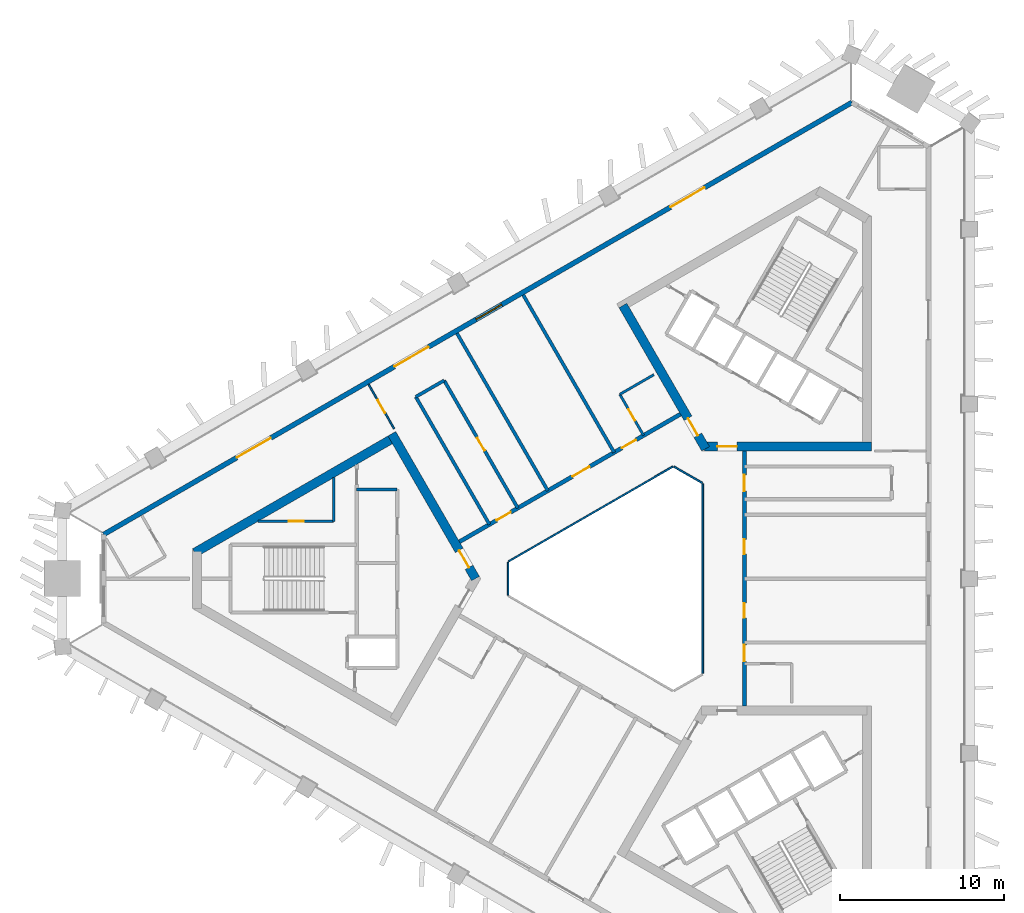
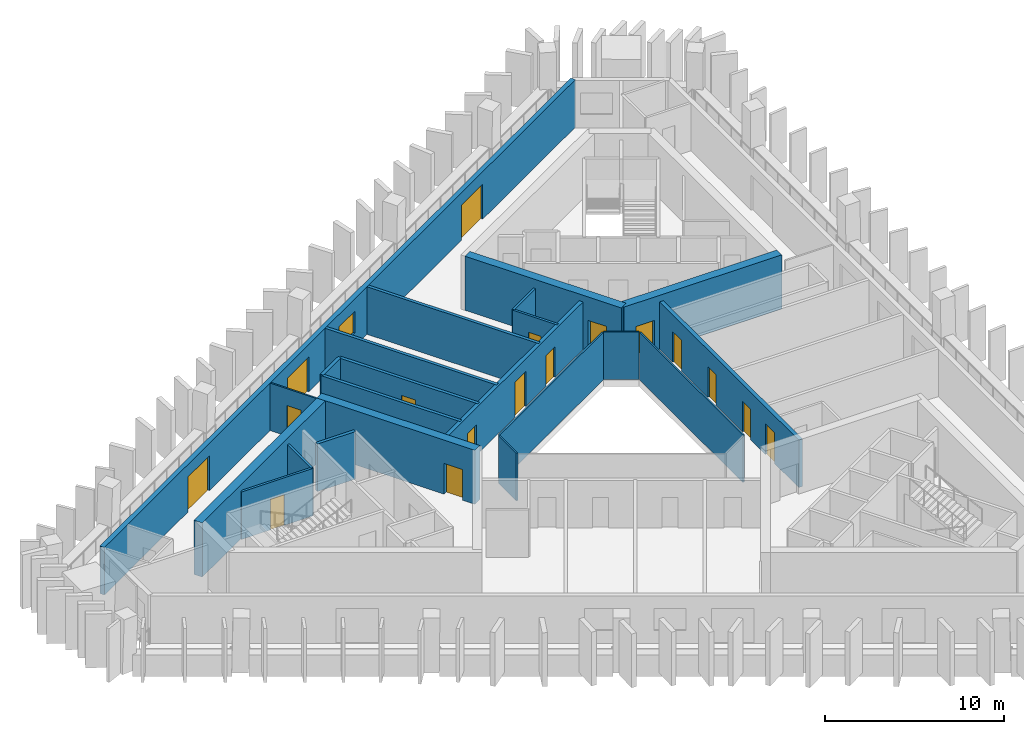
# One storey, part 4 of 9: 22 walls, 17 doors, 1 window, 18 openings.
"""IFC4 building model written with IfcOpenShell, lengths in metres."""

from ifc_helpers import new_model, si_unit, direction, frame, frame_2d, origin, place, context, subcontext, project, spatial, rectangle, extrude, material, layer, layer_set, type_object, element, fill, save


model = new_model("IFC4")

# Units and contexts
model_context = context("Model", 3, precision=1e-05, world=origin(), true_north=direction((0.0, 1.0)))
body_context = subcontext(model_context, "Body", "Model", "MODEL_VIEW")
ifc_project = project(units=[si_unit("LENGTHUNIT", "METRE"), si_unit("AREAUNIT", "SQUARE_METRE"), si_unit("VOLUMEUNIT", "CUBIC_METRE"), si_unit("PLANEANGLEUNIT", "RADIAN"), si_unit("MASSUNIT", "GRAM", prefix="KILO")], contexts=[model_context])

# Site, building, storey
site_placement = place(None, origin())
site = spatial("IfcSite", under=ifc_project, at=site_placement, CompositionType="ELEMENT")
building_placement = place(site_placement, origin())
building = spatial("IfcBuilding", under=site, at=building_placement, Name="Jabali Bay Hotel Tower and Convention Centre", CompositionType="ELEMENT")
storey_placement = place(building_placement, frame((0.0, 0.0, 185.89990234375)))
storey = spatial("IfcBuildingStorey", under=building, at=storey_placement, Name="L45", CompositionType="ELEMENT", Elevation=185.89990234375)

# Walls
ifc_material_1 = material(Name="Fire-resistant glazing", Category="glass")
ifc_layer_1 = layer(ifc_material_1, 0.10009765625)
ifc_layer_set_1 = layer_set([ifc_layer_1], Name="Fire-resistant glazing")
wall_type_1 = type_object("IfcWallType", Name="Atrium glazed screen 100", PredefinedType="PARTITIONING", material=ifc_layer_set_1)
wall_1_placement = place(storey_placement, frame((79.56005859375, 74.205810546875, 0.0), z_axis=(0.0, 0.0, 1.0), x_axis=(0.0, 1.0, 0.0)))
element("IfcWall", 1, at=wall_1_placement, inside=storey, type_object=wall_type_1, Name="Atrium screen 1 L45", PredefinedType="PARTITIONING", context=body_context, shape_type="SweptSolid", body=[
    extrude(rectangle(XDim=11.58837890625, YDim=0.10009765625, at=frame_2d((5.794189453125, 0.0))), origin(), (0.0, 0.0, 1.0), 3.25),
])
wall_2_placement = place(storey_placement, frame((79.530029296875, 85.84619140625, 0.0), z_axis=(0.0, 0.0, 1.0), x_axis=(-0.866041268327, 0.499972520799, 0.0)))
element("IfcWall", 2, at=wall_2_placement, inside=storey, type_object=wall_type_1, Name="Atrium screen 2 L45", PredefinedType="PARTITIONING", context=body_context, shape_type="SweptSolid", body=[
    extrude(rectangle(XDim=2.0, YDim=0.10009765625, at=frame_2d((1.0, 0.0))), origin(), (0.0, 0.0, 1.0), 3.25),
])
wall_3_placement = place(storey_placement, frame((77.738037109375, 86.84619140625, 0.0), z_axis=(0.0, 0.0, 1.0), x_axis=(-0.866026658274, -0.499997827154, 0.0)))
element("IfcWall", 3, at=wall_3_placement, inside=storey, type_object=wall_type_1, Name="Atrium screen 3 L45", PredefinedType="PARTITIONING", context=body_context, shape_type="SweptSolid", body=[
    extrude(rectangle(XDim=11.58837890625, YDim=0.10009765625, at=frame_2d((5.794189453125, 0.0))), origin(), (0.0, 0.0, 1.0), 3.25),
])
wall_4_placement = place(storey_placement, frame((67.672119140625, 81.0, 0.0), z_axis=(0.0, 0.0, 1.0), x_axis=(0.0, -1.0, 0.0)))
element("IfcWall", 4, at=wall_4_placement, inside=storey, type_object=wall_type_1, Name="Atrium screen 4 L45", PredefinedType="PARTITIONING", context=body_context, shape_type="SweptSolid", body=[
    extrude(rectangle(XDim=2.0, YDim=0.10009765625, at=frame_2d((1.0, 0.0))), origin(), (0.0, 0.0, 1.0), 3.25),
])

# Wall, opening, door
ifc_material_2 = material(Name="Fire-rated board partition")
ifc_layer_2 = layer(ifc_material_2, 0.14990234375)
ifc_layer_set_2 = layer_set([ifc_layer_2], Name="Fire-rated board partition")
wall_type_2 = type_object("IfcWallType", Name="Core room partition 150", PredefinedType="PARTITIONING", material=ifc_layer_set_2)
wall_5_placement = place(storey_placement, frame((57.02001953125, 83.5, 0.0), z_axis=(0.0, 0.0, 1.0), x_axis=(-1.0, 0.0, 0.0)))
wall_5 = element("IfcWall", 5, at=wall_5_placement, inside=storey, type_object=wall_type_2, Name="Core wall 0.1 L45", PredefinedType="PARTITIONING", context=body_context, shape_type="SweptSolid", body=[
    extrude(rectangle(XDim=4.617919921875, YDim=0.14990234375, at=frame_2d((2.30908203125, 0.0))), origin(), (0.0, 0.0, 1.0), 3.25),
])
opening_1_placement = place(wall_5_placement, frame((1.83154296875, 0.0, 0.0)))
opening_1 = element("IfcOpeningElement", 6, at=opening_1_placement, cuts=wall_5, Name="Opening D975", PredefinedType="OPENING", context=body_context, shape_type="SweptSolid", body=[
    extrude(rectangle(XDim=0.89990234375, YDim=2.10009765625, at=frame_2d((0.449951171875, 1.050048828125))), frame((0.0, 0.08544921875, 0.0), z_axis=(0.0, -1.0, 0.0), x_axis=(1.0, 0.0, 0.0)), (0.0, 0.0, 1.0), 0.1708984375),
])
ifc_material_3 = material(Name="Fire-rated steel door", Category="steel")
door_type_1 = type_object("IfcDoorType", Name="Core room door 900 x 2100", OperationType="NOTDEFINED", PredefinedType="NOTDEFINED", material=ifc_material_3)
door_1_placement = place(opening_1_placement, origin())
door_1 = element("IfcDoor", 7, at=door_1_placement, inside=storey, type_object=door_type_1, Name="Core room door D975", OperationType="SINGLE_SWING_LEFT", OverallHeight=2.10009765625, OverallWidth=0.89990234375, PredefinedType="NOTDEFINED", context=body_context, shape_type="SweptSolid", body=[
    extrude(rectangle(XDim=0.89990234375, YDim=2.10009765625, at=frame_2d((0.449951171875, 1.050048828125))), frame((0.0, 0.02490234375, 0.0), z_axis=(0.0, -1.0, 0.0), x_axis=(1.0, 0.0, 0.0)), (0.0, 0.0, 1.0), 0.050048828125),
])
fill(opening_1, door_1)

# Walls
wall_6_placement = place(storey_placement, frame((57.02001953125, 86.166015625, 0.0), z_axis=(0.0, 0.0, 1.0), x_axis=(0.0, -1.0, 0.0)))
element("IfcWall", 8, at=wall_6_placement, inside=storey, type_object=wall_type_2, Name="Core wall 0.12 L45", PredefinedType="PARTITIONING", context=body_context, shape_type="SweptSolid", body=[
    extrude(rectangle(XDim=2.666015625, YDim=0.14990234375, at=frame_2d((1.3330078125, 0.0))), origin(), (0.0, 0.0, 1.0), 3.25),
])
ifc_material_4 = material(Name="Concrete C40", Category="concrete")
ifc_layer_3 = layer(ifc_material_4, 0.199951171875)
ifc_layer_set_3 = layer_set([ifc_layer_3], Name="Concrete C40")
wall_type_3 = type_object("IfcWallType", Name="Core stair wall 200", PredefinedType="SOLIDWALL", material=ifc_layer_set_3)
wall_7_placement = place(storey_placement, frame((60.89990234375, 85.449951171875, 0.0), z_axis=(0.0, 0.0, 1.0), x_axis=(-1.0, 0.0, 0.0)))
element("IfcWall", 9, at=wall_7_placement, inside=storey, type_object=wall_type_3, Name="Core wall 0.0 L45", PredefinedType="SOLIDWALL", context=body_context, shape_type="SweptSolid", body=[
    extrude(rectangle(XDim=2.47998046875, YDim=0.199951171875, at=frame_2d((1.239990234375, 0.0))), origin(), (0.0, 0.0, 1.0), 3.25),
])

# Wall, opening, door
ifc_material_5 = material(Name="Concrete C60", Category="concrete")
ifc_layer_4 = layer(ifc_material_5, 0.550048828125)
ifc_layer_set_4 = layer_set([ifc_layer_4], Name="Concrete C60")
wall_type_4 = type_object("IfcWallType", Name="Core wall 550", PredefinedType="SHEAR", material=ifc_layer_set_4)
wall_8_placement = place(storey_placement, frame((65.682373046875, 80.0, 0.0), z_axis=(0.0, 0.0, 1.0), x_axis=(-0.500000202252, 0.866025287014, 0.0)))
wall_8 = element("IfcWall", 10, at=wall_8_placement, inside=storey, type_object=wall_type_4, Name="Core wall 1.1 L45", PredefinedType="SHEAR", context=body_context, shape_type="SweptSolid", body=[
    extrude(rectangle(XDim=10.22119140625, YDim=0.550048828125, at=frame_2d((5.110595703125, 0.0))), origin(), (0.0, 0.0, 1.0), 3.7001953125),
])
opening_2_placement = place(wall_8_placement, frame((0.791259765625, 0.0, 0.0)))
opening_2 = element("IfcOpeningElement", 11, at=opening_2_placement, cuts=wall_8, Name="Opening D968", PredefinedType="OPENING", context=body_context, shape_type="SweptSolid", body=[
    extrude(rectangle(XDim=1.199951171875, YDim=2.10009765625, at=frame_2d((0.60009765625, 1.050048828125))), frame((0.0, 0.28564453125, 0.0), z_axis=(0.0, -1.0, 0.0), x_axis=(1.0, 0.0, 0.0)), (0.0, 0.0, 1.0), 0.571044921875),
])
door_type_2 = type_object("IfcDoorType", Name="Corridor end fire door 1200 x 2100", OperationType="NOTDEFINED", PredefinedType="NOTDEFINED", material=ifc_material_3)
door_2_placement = place(opening_2_placement, origin())
door_2 = element("IfcDoor", 12, at=door_2_placement, inside=storey, type_object=door_type_2, Name="Corridor end fire door D968", OperationType="SINGLE_SWING_RIGHT", OverallHeight=2.10009765625, OverallWidth=1.199951171875, PredefinedType="NOTDEFINED", context=body_context, shape_type="SweptSolid", body=[
    extrude(rectangle(XDim=1.199951171875, YDim=2.10009765625, at=frame_2d((0.60009765625, 1.050048828125))), frame((0.0, 0.02490234375, 0.0), z_axis=(0.0, -1.0, 0.0), x_axis=(1.0, 0.0, 0.0)), (0.0, 0.0, 1.0), 0.050048828125),
])
fill(opening_2, door_2)

# Wall
wall_9_placement = place(storey_placement, frame((60.709228515625, 88.61376953125, 0.0), z_axis=(0.0, 0.0, 1.0), x_axis=(-0.866020164116, -0.500009075263, 0.0)))
element("IfcWall", 13, at=wall_9_placement, inside=storey, type_object=wall_type_4, Name="Core wall 1.2 L45", PredefinedType="SHEAR", context=body_context, shape_type="SweptSolid", body=[
    extrude(rectangle(XDim=14.058349609375, YDim=0.550048828125, at=frame_2d((7.029296875, 0.0))), origin(), (0.0, 0.0, 1.0), 3.7001953125),
])

# Wall, opening, door
wall_10_placement = place(storey_placement, frame((79.65869140625, 88.0693359375, 0.0), z_axis=(0.0, 0.0, 1.0), x_axis=(1.0, 0.0, 0.0)))
wall_10 = element("IfcWall", 14, at=wall_10_placement, inside=storey, type_object=wall_type_4, Name="Core wall 2.1 L45", PredefinedType="SHEAR", context=body_context, shape_type="SweptSolid", body=[
    extrude(rectangle(XDim=10.22119140625, YDim=0.550048828125, at=frame_2d((5.110595703125, 0.0))), origin(), (0.0, 0.0, 1.0), 3.7001953125),
])
opening_3_placement = place(wall_10_placement, frame((0.791259765625, 0.0, 0.0)))
opening_3 = element("IfcOpeningElement", 15, at=opening_3_placement, cuts=wall_10, Name="Opening D976", PredefinedType="OPENING", context=body_context, shape_type="SweptSolid", body=[
    extrude(rectangle(XDim=1.199951171875, YDim=2.10009765625, at=frame_2d((0.60009765625, 1.050048828125))), frame((0.0, 0.28564453125, 0.0), z_axis=(0.0, -1.0, 0.0), x_axis=(1.0, 0.0, 0.0)), (0.0, 0.0, 1.0), 0.571044921875),
])
door_3_placement = place(opening_3_placement, origin())
door_3 = element("IfcDoor", 16, at=door_3_placement, inside=storey, type_object=door_type_2, Name="Corridor end fire door D976", OperationType="SINGLE_SWING_RIGHT", OverallHeight=2.10009765625, OverallWidth=1.199951171875, PredefinedType="NOTDEFINED", context=body_context, shape_type="SweptSolid", body=[
    extrude(rectangle(XDim=1.199951171875, YDim=2.10009765625, at=frame_2d((0.60009765625, 1.050048828125))), frame((0.0, 0.02490234375, 0.0), z_axis=(0.0, -1.0, 0.0), x_axis=(1.0, 0.0, 0.0)), (0.0, 0.0, 1.0), 0.050048828125),
])
fill(opening_3, door_3)

wall_11_placement = place(storey_placement, frame((74.685546875, 96.682861328125, 0.0), z_axis=(0.0, 0.0, 1.0), x_axis=(0.499997818338, -0.866026663364, 0.0)))
wall_11 = element("IfcWall", 17, at=wall_11_placement, inside=storey, type_object=wall_type_4, Name="Core wall 2.5 L45", PredefinedType="SHEAR", context=body_context, shape_type="SweptSolid", body=[
    extrude(rectangle(XDim=10.10498046875, YDim=0.550048828125, at=frame_2d((5.052490234375, 0.0))), origin(), (0.0, 0.0, 1.0), 3.7001953125),
])
opening_4_placement = place(wall_11_placement, frame((7.955078125, 0.0, 0.0)))
opening_4 = element("IfcOpeningElement", 18, at=opening_4_placement, cuts=wall_11, Name="Opening D977", PredefinedType="OPENING", context=body_context, shape_type="SweptSolid", body=[
    extrude(rectangle(XDim=1.199951171875, YDim=2.10009765625, at=frame_2d((0.60009765625, 1.050048828125))), frame((0.0, 0.28564453125, 0.0), z_axis=(0.0, -1.0, 0.0), x_axis=(1.0, 0.0, 0.0)), (0.0, 0.0, 1.0), 0.571044921875),
])
door_4_placement = place(opening_4_placement, origin())
door_4 = element("IfcDoor", 19, at=door_4_placement, inside=storey, type_object=door_type_2, Name="Corridor end fire door D977", OperationType="SINGLE_SWING_LEFT", OverallHeight=2.10009765625, OverallWidth=1.199951171875, PredefinedType="NOTDEFINED", context=body_context, shape_type="SweptSolid", body=[
    extrude(rectangle(XDim=1.199951171875, YDim=2.10009765625, at=frame_2d((0.60009765625, 1.050048828125))), frame((0.0, 0.02490234375, 0.0), z_axis=(0.0, -1.0, 0.0), x_axis=(1.0, 0.0, 0.0)), (0.0, 0.0, 1.0), 0.050048828125),
])
fill(opening_4, door_4)

# Wall, openings, doors
ifc_layer_5 = layer(ifc_material_5, 0.25)
ifc_layer_set_5 = layer_set([ifc_layer_5], Name="Concrete C60")
wall_type_5 = type_object("IfcWallType", Name="Corridor wall 250", PredefinedType="SHEAR", material=ifc_layer_set_5)
wall_12_placement = place(storey_placement, frame((82.10009765625, 72.205810546875, 0.0), z_axis=(0.0, 0.0, 1.0), x_axis=(0.0, 1.0, 0.0)))
wall_12 = element("IfcWall", 20, at=wall_12_placement, inside=storey, type_object=wall_type_5, Name="Corridor wall 1 L45", PredefinedType="SHEAR", context=body_context, shape_type="SweptSolid", body=[
    extrude(rectangle(XDim=15.58837890625, YDim=0.25, at=frame_2d((7.794189453125, 0.0))), origin(), (0.0, 0.0, 1.0), 3.25),
])
opening_5_placement = place(wall_12_placement, frame((2.7470703125, 0.0, 0.0)))
opening_5 = element("IfcOpeningElement", 21, at=opening_5_placement, cuts=wall_12, Name="Opening 4502", PredefinedType="OPENING", context=body_context, shape_type="SweptSolid", body=[
    extrude(rectangle(XDim=1.0, YDim=2.10009765625, at=frame_2d((0.5, 1.050048828125))), frame((0.0, 0.135498046875, 0.0), z_axis=(0.0, -1.0, 0.0), x_axis=(1.0, 0.0, 0.0)), (0.0, 0.0, 1.0), 0.27099609375),
])
opening_6_placement = place(wall_12_placement, frame((5.395751953125, 0.0, 0.0)))
opening_6 = element("IfcOpeningElement", 22, at=opening_6_placement, cuts=wall_12, Name="Opening 4503", PredefinedType="OPENING", context=body_context, shape_type="SweptSolid", body=[
    extrude(rectangle(XDim=0.89990234375, YDim=2.10009765625, at=frame_2d((0.449951171875, 1.050048828125))), frame((0.0, 0.135498046875, 0.0), z_axis=(0.0, -1.0, 0.0), x_axis=(1.0, 0.0, 0.0)), (0.0, 0.0, 1.0), 0.27099609375),
])
opening_7_placement = place(wall_12_placement, frame((9.292724609375, 0.0, 0.0)))
opening_7 = element("IfcOpeningElement", 23, at=opening_7_placement, cuts=wall_12, Name="Opening 4504", PredefinedType="OPENING", context=body_context, shape_type="SweptSolid", body=[
    extrude(rectangle(XDim=0.89990234375, YDim=2.10009765625, at=frame_2d((0.449951171875, 1.050048828125))), frame((0.0, 0.135498046875, 0.0), z_axis=(0.0, -1.0, 0.0), x_axis=(1.0, 0.0, 0.0)), (0.0, 0.0, 1.0), 0.27099609375),
])
opening_8_placement = place(wall_12_placement, frame((13.139892578125, 0.0, 0.0)))
opening_8 = element("IfcOpeningElement", 24, at=opening_8_placement, cuts=wall_12, Name="Opening 4505", PredefinedType="OPENING", context=body_context, shape_type="SweptSolid", body=[
    extrude(rectangle(XDim=1.0, YDim=2.10009765625, at=frame_2d((0.5, 1.050048828125))), frame((0.0, 0.135498046875, 0.0), z_axis=(0.0, -1.0, 0.0), x_axis=(1.0, 0.0, 0.0)), (0.0, 0.0, 1.0), 0.27099609375),
])
ifc_material_6 = material(Name="Timber", Category="wood")
door_type_3 = type_object("IfcDoorType", Name="Guest room door 1000 x 2100", OperationType="NOTDEFINED", PredefinedType="NOTDEFINED", material=ifc_material_6)
door_5_placement = place(opening_5_placement, origin())
door_5 = element("IfcDoor", 25, at=door_5_placement, inside=storey, type_object=door_type_3, Name="Door 4502", OperationType="SINGLE_SWING_LEFT", OverallHeight=2.10009765625, OverallWidth=1.0, PredefinedType="NOTDEFINED", context=body_context, shape_type="SweptSolid", body=[
    extrude(rectangle(XDim=1.0, YDim=2.10009765625, at=frame_2d((0.5, 1.050048828125))), frame((0.0, 0.02490234375, 0.0), z_axis=(0.0, -1.0, 0.0), x_axis=(1.0, 0.0, 0.0)), (0.0, 0.0, 1.0), 0.050048828125),
])
fill(opening_5, door_5)
door_6_placement = place(opening_8_placement, origin())
door_6 = element("IfcDoor", 26, at=door_6_placement, inside=storey, type_object=door_type_3, Name="Door 4505", OperationType="SINGLE_SWING_RIGHT", OverallHeight=2.10009765625, OverallWidth=1.0, PredefinedType="NOTDEFINED", context=body_context, shape_type="SweptSolid", body=[
    extrude(rectangle(XDim=1.0, YDim=2.10009765625, at=frame_2d((0.5, 1.050048828125))), frame((0.0, 0.02490234375, 0.0), z_axis=(0.0, -1.0, 0.0), x_axis=(1.0, 0.0, 0.0)), (0.0, 0.0, 1.0), 0.050048828125),
])
fill(opening_8, door_6)
door_type_4 = type_object("IfcDoorType", Name="Internal door 900 x 2100", OperationType="NOTDEFINED", PredefinedType="NOTDEFINED", material=ifc_material_6)
door_7_placement = place(opening_6_placement, origin())
door_7 = element("IfcDoor", 27, at=door_7_placement, inside=storey, type_object=door_type_4, Name="Door 4503", OperationType="SINGLE_SWING_LEFT", OverallHeight=2.10009765625, OverallWidth=0.89990234375, PredefinedType="NOTDEFINED", context=body_context, shape_type="SweptSolid", body=[
    extrude(rectangle(XDim=0.89990234375, YDim=2.10009765625, at=frame_2d((0.449951171875, 1.050048828125))), frame((0.0, 0.02490234375, 0.0), z_axis=(0.0, -1.0, 0.0), x_axis=(1.0, 0.0, 0.0)), (0.0, 0.0, 1.0), 0.050048828125),
])
fill(opening_6, door_7)
door_8_placement = place(opening_7_placement, origin())
door_8 = element("IfcDoor", 28, at=door_8_placement, inside=storey, type_object=door_type_4, Name="Door 4504", OperationType="SINGLE_SWING_RIGHT", OverallHeight=2.10009765625, OverallWidth=0.89990234375, PredefinedType="NOTDEFINED", context=body_context, shape_type="SweptSolid", body=[
    extrude(rectangle(XDim=0.89990234375, YDim=2.10009765625, at=frame_2d((0.449951171875, 1.050048828125))), frame((0.0, 0.02490234375, 0.0), z_axis=(0.0, -1.0, 0.0), x_axis=(1.0, 0.0, 0.0)), (0.0, 0.0, 1.0), 0.050048828125),
])
fill(opening_7, door_8)

wall_13_placement = place(storey_placement, frame((78.199951171875, 90.0458984375, 0.0), z_axis=(0.0, 0.0, 1.0), x_axis=(-0.866026492143, -0.499998114903, 0.0)))
wall_13 = element("IfcWall", 29, at=wall_13_placement, inside=storey, type_object=wall_type_5, Name="Corridor wall 2 L45", PredefinedType="SHEAR", context=body_context, shape_type="SweptSolid", body=[
    extrude(rectangle(XDim=15.58837890625, YDim=0.25, at=frame_2d((7.794189453125, 0.0))), origin(), (0.0, 0.0, 1.0), 3.25),
])
opening_9_placement = place(wall_13_placement, frame((3.13818359375, 0.0, 0.0)))
opening_9 = element("IfcOpeningElement", 30, at=opening_9_placement, cuts=wall_13, Name="Opening 4510", PredefinedType="OPENING", context=body_context, shape_type="SweptSolid", body=[
    extrude(rectangle(XDim=1.0, YDim=2.10009765625, at=frame_2d((0.5, 1.050048828125))), frame((0.0, 0.135498046875, 0.0), z_axis=(0.0, -1.0, 0.0), x_axis=(1.0, 0.0, 0.0)), (0.0, 0.0, 1.0), 0.27099609375),
])
opening_10_placement = place(wall_13_placement, frame((6.414794921875, 0.0, 0.0)))
opening_10 = element("IfcOpeningElement", 31, at=opening_10_placement, cuts=wall_13, Name="Opening 4511", PredefinedType="OPENING", context=body_context, shape_type="SweptSolid", body=[
    extrude(rectangle(XDim=1.199951171875, YDim=2.39990234375, at=frame_2d((0.60009765625, 1.199951171875))), frame((0.0, 0.135498046875, 0.0), z_axis=(0.0, -1.0, 0.0), x_axis=(1.0, 0.0, 0.0)), (0.0, 0.0, 1.0), 0.27099609375),
])
opening_11_placement = place(wall_13_placement, frame((11.970703125, 0.0, 0.0)))
opening_11 = element("IfcOpeningElement", 32, at=opening_11_placement, cuts=wall_13, Name="Opening 4512", PredefinedType="OPENING", context=body_context, shape_type="SweptSolid", body=[
    extrude(rectangle(XDim=1.0, YDim=2.10009765625, at=frame_2d((0.5, 1.050048828125))), frame((0.0, 0.135498046875, 0.0), z_axis=(0.0, -1.0, 0.0), x_axis=(1.0, 0.0, 0.0)), (0.0, 0.0, 1.0), 0.27099609375),
])
door_9_placement = place(opening_9_placement, origin())
door_9 = element("IfcDoor", 33, at=door_9_placement, inside=storey, type_object=door_type_3, Name="Door 4510", OperationType="SINGLE_SWING_LEFT", OverallHeight=2.10009765625, OverallWidth=1.0, PredefinedType="NOTDEFINED", context=body_context, shape_type="SweptSolid", body=[
    extrude(rectangle(XDim=1.0, YDim=2.10009765625, at=frame_2d((0.5, 1.050048828125))), frame((0.0, 0.02490234375, 0.0), z_axis=(0.0, -1.0, 0.0), x_axis=(1.0, 0.0, 0.0)), (0.0, 0.0, 1.0), 0.050048828125),
])
fill(opening_9, door_9)
door_10_placement = place(opening_11_placement, origin())
door_10 = element("IfcDoor", 34, at=door_10_placement, inside=storey, type_object=door_type_3, Name="Door 4512", OperationType="SINGLE_SWING_RIGHT", OverallHeight=2.10009765625, OverallWidth=1.0, PredefinedType="NOTDEFINED", context=body_context, shape_type="SweptSolid", body=[
    extrude(rectangle(XDim=1.0, YDim=2.10009765625, at=frame_2d((0.5, 1.050048828125))), frame((0.0, 0.02490234375, 0.0), z_axis=(0.0, -1.0, 0.0), x_axis=(1.0, 0.0, 0.0)), (0.0, 0.0, 1.0), 0.050048828125),
])
fill(opening_11, door_10)
door_type_5 = type_object("IfcDoorType", Name="Public room door 1200 x 2400", OperationType="NOTDEFINED", PredefinedType="NOTDEFINED", material=ifc_material_6)
door_11_placement = place(opening_10_placement, origin())
door_11 = element("IfcDoor", 35, at=door_11_placement, inside=storey, type_object=door_type_5, Name="Door 4511", OperationType="SINGLE_SWING_LEFT", OverallHeight=2.39990234375, OverallWidth=1.199951171875, PredefinedType="NOTDEFINED", context=body_context, shape_type="SweptSolid", body=[
    extrude(rectangle(XDim=1.199951171875, YDim=2.39990234375, at=frame_2d((0.60009765625, 1.199951171875))), frame((0.0, 0.02490234375, 0.0), z_axis=(0.0, -1.0, 0.0), x_axis=(1.0, 0.0, 0.0)), (0.0, 0.0, 1.0), 0.050048828125),
])
fill(opening_10, door_11)

# Wall, openings, doors, window
ifc_layer_6 = layer(ifc_material_4, 0.300048828125)
ifc_layer_set_6 = layer_set([ifc_layer_6], Name="Concrete C40")
wall_type_6 = type_object("IfcWallType", Name="External wall 300", PredefinedType="SOLIDWALL", material=ifc_layer_set_6)
wall_14_placement = place(storey_placement, frame((42.970947265625, 82.69970703125, 0.0), z_axis=(0.0, 0.0, 1.0), x_axis=(0.866024890781, 0.500000888547, 0.0)))
wall_14 = element("IfcWall", 36, at=wall_14_placement, inside=storey, type_object=wall_type_6, Name="External wall north-west face L45", PredefinedType="SOLIDWALL", context=body_context, shape_type="SweptSolid", body=[
    extrude(rectangle(XDim=52.7763671875, YDim=0.300048828125, at=frame_2d((26.38818359375, 0.0))), origin(), (0.0, 0.0, 1.0), 3.25),
])
opening_12_placement = place(wall_14_placement, frame((20.511474609375, 0.0, 0.0)))
opening_12 = element("IfcOpeningElement", 37, at=opening_12_placement, cuts=wall_14, Name="Opening SD1", PredefinedType="OPENING", context=body_context, shape_type="SweptSolid", body=[
    extrude(rectangle(XDim=2.39990234375, YDim=2.39990234375, at=frame_2d((1.199951171875, 1.199951171875))), frame((0.0, 0.16064453125, 0.0), z_axis=(0.0, -1.0, 0.0), x_axis=(1.0, 0.0, 0.0)), (0.0, 0.0, 1.0), 0.321044921875),
])
opening_13_placement = place(wall_14_placement, frame((9.384765625, 0.0, 0.0)))
opening_13 = element("IfcOpeningElement", 38, at=opening_13_placement, cuts=wall_14, Name="Opening SD1", PredefinedType="OPENING", context=body_context, shape_type="SweptSolid", body=[
    extrude(rectangle(XDim=2.39990234375, YDim=2.39990234375, at=frame_2d((1.199951171875, 1.199951171875))), frame((0.0, 0.16064453125, 0.0), z_axis=(0.0, -1.0, 0.0), x_axis=(1.0, 0.0, 0.0)), (0.0, 0.0, 1.0), 0.321044921875),
])
opening_14_placement = place(wall_14_placement, frame((39.984130859375, 0.0, 0.0)))
opening_14 = element("IfcOpeningElement", 39, at=opening_14_placement, cuts=wall_14, Name="Opening SD1", PredefinedType="OPENING", context=body_context, shape_type="SweptSolid", body=[
    extrude(rectangle(XDim=2.39990234375, YDim=2.39990234375, at=frame_2d((1.199951171875, 1.199951171875))), frame((0.0, 0.16064453125, 0.0), z_axis=(0.0, -1.0, 0.0), x_axis=(1.0, 0.0, 0.0)), (0.0, 0.0, 1.0), 0.321044921875),
])
opening_15_placement = place(wall_14_placement, frame((26.267578125, 0.0, 0.89990234375)))
opening_15 = element("IfcOpeningElement", 40, at=opening_15_placement, cuts=wall_14, Name="Opening W1", PredefinedType="OPENING", context=body_context, shape_type="SweptSolid", body=[
    extrude(rectangle(XDim=1.800048828125, YDim=1.5, at=frame_2d((0.89990234375, 0.75))), frame((0.0, 0.16064453125, 0.0), z_axis=(0.0, -1.0, 0.0), x_axis=(1.0, 0.0, 0.0)), (0.0, 0.0, 1.0), 0.321044921875),
])
ifc_material_7 = material(Name="Glass", Category="glass")
door_type_6 = type_object("IfcDoorType", Name="Loggia sliding door 2400 x 2400", OperationType="NOTDEFINED", PredefinedType="NOTDEFINED", material=ifc_material_7)
door_12_placement = place(opening_12_placement, origin())
door_12 = element("IfcDoor", 41, at=door_12_placement, inside=storey, type_object=door_type_6, Name="Loggia sliding door 4507", OperationType="SLIDING_TO_LEFT", OverallHeight=2.39990234375, OverallWidth=2.39990234375, PredefinedType="NOTDEFINED", context=body_context, shape_type="SweptSolid", body=[
    extrude(rectangle(XDim=2.39990234375, YDim=2.39990234375, at=frame_2d((1.199951171875, 1.199951171875))), frame((0.0, 0.02490234375, 0.0), z_axis=(0.0, -1.0, 0.0), x_axis=(1.0, 0.0, 0.0)), (0.0, 0.0, 1.0), 0.050048828125),
])
fill(opening_12, door_12)
door_13_placement = place(opening_13_placement, origin())
door_13 = element("IfcDoor", 42, at=door_13_placement, inside=storey, type_object=door_type_6, Name="Loggia sliding door 4507", OperationType="SLIDING_TO_RIGHT", OverallHeight=2.39990234375, OverallWidth=2.39990234375, PredefinedType="NOTDEFINED", context=body_context, shape_type="SweptSolid", body=[
    extrude(rectangle(XDim=2.39990234375, YDim=2.39990234375, at=frame_2d((1.199951171875, 1.199951171875))), frame((0.0, 0.02490234375, 0.0), z_axis=(0.0, -1.0, 0.0), x_axis=(1.0, 0.0, 0.0)), (0.0, 0.0, 1.0), 0.050048828125),
])
fill(opening_13, door_13)
door_14_placement = place(opening_14_placement, origin())
door_14 = element("IfcDoor", 43, at=door_14_placement, inside=storey, type_object=door_type_6, Name="Loggia sliding door 4506", OperationType="SLIDING_TO_LEFT", OverallHeight=2.39990234375, OverallWidth=2.39990234375, PredefinedType="NOTDEFINED", context=body_context, shape_type="SweptSolid", body=[
    extrude(rectangle(XDim=2.39990234375, YDim=2.39990234375, at=frame_2d((1.199951171875, 1.199951171875))), frame((0.0, 0.02490234375, 0.0), z_axis=(0.0, -1.0, 0.0), x_axis=(1.0, 0.0, 0.0)), (0.0, 0.0, 1.0), 0.050048828125),
])
fill(opening_14, door_14)
window_type = type_object("IfcWindowType", Name="Window 1800 x 1500", PartitioningType="SINGLE_PANEL", PredefinedType="WINDOW", material=ifc_material_7)
window_placement = place(opening_15_placement, origin())
window = element("IfcWindow", 44, at=window_placement, inside=storey, type_object=window_type, Name="Window", OverallHeight=1.5, OverallWidth=1.800048828125, PartitioningType="SINGLE_PANEL", PredefinedType="WINDOW", context=body_context, shape_type="SweptSolid", body=[
    extrude(rectangle(XDim=1.800048828125, YDim=1.5, at=frame_2d((0.89990234375, 0.75))), frame((0.0, 0.030029296875, 0.0), z_axis=(0.0, -1.0, 0.0), x_axis=(1.0, 0.0, 0.0)), (0.0, 0.0, 1.0), 0.06005859375),
])
fill(opening_15, window)

# Wall, opening, door
ifc_material_8 = material(Name="Plasterboard on steel stud", Category="steel")
ifc_layer_7 = layer(ifc_material_8, 0.10009765625)
ifc_layer_set_7 = layer_set([ifc_layer_7], Name="Plasterboard on steel stud")
wall_type_7 = type_object("IfcWallType", Name="Partition 100 unit", PredefinedType="PARTITIONING", material=ifc_layer_set_7)
wall_15_placement = place(storey_placement, frame((59.148193359375, 91.86767578125, 0.0), z_axis=(0.0, 0.0, 1.0), x_axis=(0.4999794672, -0.866037258078, 0.0)))
wall_15 = element("IfcWall", 45, at=wall_15_placement, inside=storey, type_object=wall_type_7, Name="Partition P02 L45 019", PredefinedType="PARTITIONING", context=body_context, shape_type="SweptSolid", body=[
    extrude(rectangle(XDim=3.124755859375, YDim=0.10009765625, at=frame_2d((1.5625, 0.0))), origin(), (0.0, 0.0, 1.0), 3.25),
])
opening_16_placement = place(wall_15_placement, frame((1.112060546875, 0.0, 0.0)))
opening_16 = element("IfcOpeningElement", 46, at=opening_16_placement, cuts=wall_15, Name="Opening 4513", PredefinedType="OPENING", context=body_context, shape_type="SweptSolid", body=[
    extrude(rectangle(XDim=0.89990234375, YDim=2.10009765625, at=frame_2d((0.449951171875, 1.050048828125))), frame((0.0, 0.060546875, 0.0), z_axis=(0.0, -1.0, 0.0), x_axis=(1.0, 0.0, 0.0)), (0.0, 0.0, 1.0), 0.12109375),
])
door_15_placement = place(opening_16_placement, origin())
door_15 = element("IfcDoor", 47, at=door_15_placement, inside=storey, type_object=door_type_4, Name="Door 4513", OperationType="SINGLE_SWING_LEFT", OverallHeight=2.10009765625, OverallWidth=0.89990234375, PredefinedType="NOTDEFINED", context=body_context, shape_type="SweptSolid", body=[
    extrude(rectangle(XDim=0.89990234375, YDim=2.10009765625, at=frame_2d((0.449951171875, 1.050048828125))), frame((0.0, 0.02490234375, 0.0), z_axis=(0.0, -1.0, 0.0), x_axis=(1.0, 0.0, 0.0)), (0.0, 0.0, 1.0), 0.050048828125),
])
fill(opening_16, door_15)

ifc_layer_8 = layer(ifc_material_8, 0.14990234375)
ifc_layer_set_8 = layer_set([ifc_layer_8], Name="Plasterboard on steel stud")
wall_type_8 = type_object("IfcWallType", Name="Partition 150 wet", PredefinedType="PARTITIONING", material=ifc_layer_set_8)
wall_16_placement = place(storey_placement, frame((75.9482421875, 88.745849609375, 0.0), z_axis=(0.0, 0.0, 1.0), x_axis=(-0.499987231761, 0.866032775405, 0.0)))
wall_16 = element("IfcWall", 48, at=wall_16_placement, inside=storey, type_object=wall_type_8, Name="Partition P03 L45 015", PredefinedType="PARTITIONING", context=body_context, shape_type="SweptSolid", body=[
    extrude(rectangle(XDim=2.89990234375, YDim=0.14990234375, at=frame_2d((1.449951171875, 0.0))), origin(), (0.0, 0.0, 1.0), 3.25),
])
opening_17_placement = place(wall_16_placement, frame((1.050048828125, 0.0, 0.0)))
opening_17 = element("IfcOpeningElement", 49, at=opening_17_placement, cuts=wall_16, Name="Opening 4509", PredefinedType="OPENING", context=body_context, shape_type="SweptSolid", body=[
    extrude(rectangle(XDim=0.800048828125, YDim=2.10009765625, at=frame_2d((0.39990234375, 1.050048828125))), frame((0.0, 0.08544921875, 0.0), z_axis=(0.0, -1.0, 0.0), x_axis=(1.0, 0.0, 0.0)), (0.0, 0.0, 1.0), 0.1708984375),
])
door_type_7 = type_object("IfcDoorType", Name="En-suite door 800 x 2100", OperationType="NOTDEFINED", PredefinedType="NOTDEFINED", material=ifc_material_6)
door_16_placement = place(opening_17_placement, origin())
door_16 = element("IfcDoor", 50, at=door_16_placement, inside=storey, type_object=door_type_7, Name="Door 4509", OperationType="SINGLE_SWING_RIGHT", OverallHeight=2.10009765625, OverallWidth=0.800048828125, PredefinedType="NOTDEFINED", context=body_context, shape_type="SweptSolid", body=[
    extrude(rectangle(XDim=0.800048828125, YDim=2.10009765625, at=frame_2d((0.39990234375, 1.050048828125))), frame((0.0, 0.02490234375, 0.0), z_axis=(0.0, -1.0, 0.0), x_axis=(1.0, 0.0, 0.0)), (0.0, 0.0, 1.0), 0.050048828125),
])
fill(opening_17, door_16)

# Walls
wall_17_placement = place(storey_placement, frame((74.498291015625, 91.25732421875, 0.0), z_axis=(0.0, 0.0, 1.0), x_axis=(0.866038271014, 0.499977712642, 0.0)))
element("IfcWall", 51, at=wall_17_placement, inside=storey, type_object=wall_type_8, Name="Partition P03 L45 016", PredefinedType="PARTITIONING", context=body_context, shape_type="SweptSolid", body=[
    extrude(rectangle(XDim=2.40087890625, YDim=0.14990234375, at=frame_2d((1.200439453125, 0.0))), origin(), (0.0, 0.0, 1.0), 3.25),
])
ifc_layer_9 = layer(ifc_material_8, 0.199951171875)
ifc_layer_set_9 = layer_set([ifc_layer_9], Name="Plasterboard on steel stud")
wall_type_9 = type_object("IfcWallType", Name="Partition 200 party", PredefinedType="PARTITIONING", material=ifc_layer_set_9)
for number, where, z_axis, x_axis, name in (
    (52, (68.59814453125, 97.323486328125, 0.0), (0.0, 0.0, 1.0), (0.499998432514, -0.866026308771, 0.0), "Partition P01 L45 017"),
    (53, (64.54833984375, 94.9853515625, 0.0), (0.0, 0.0, 1.0), (0.499998432514, -0.866026308771, 0.0), "Partition P01 L45 018"),
):
    element("IfcWall", number, at=place(storey_placement, frame(where, z_axis=z_axis, x_axis=x_axis)), inside=storey, type_object=wall_type_9, Name=name, PredefinedType="PARTITIONING", context=body_context, shape_type="SweptSolid", body=[
        extrude(rectangle(XDim=11.103515625, YDim=0.199951171875, at=frame_2d((5.5517578125, 0.0))), origin(), (0.0, 0.0, 1.0), 3.25),
    ])
wall_18_placement = place(storey_placement, frame((66.533935546875, 83.310546875, 0.0), z_axis=(0.0, 0.0, 1.0), x_axis=(-0.5000018851, 0.866024315419, 0.0)))
element("IfcWall", 54, at=wall_18_placement, inside=storey, type_object=wall_type_9, Name="Partition P01 L45 020", PredefinedType="PARTITIONING", context=body_context, shape_type="SweptSolid", body=[
    extrude(rectangle(XDim=9.0, YDim=0.199951171875, at=frame_2d((4.5, 0.0))), origin(), (0.0, 0.0, 1.0), 3.25),
])
wall_19_placement = place(storey_placement, frame((62.033935546875, 91.104736328125, 0.0), z_axis=(0.0, 0.0, 1.0), x_axis=(0.866041268327, 0.499972520799, 0.0)))
element("IfcWall", 55, at=wall_19_placement, inside=storey, type_object=wall_type_9, Name="Partition P01 L45 021", PredefinedType="PARTITIONING", context=body_context, shape_type="SweptSolid", body=[
    extrude(rectangle(XDim=2.0, YDim=0.199951171875, at=frame_2d((1.0, 0.0))), origin(), (0.0, 0.0, 1.0), 3.25),
])

# Wall, opening, door
wall_20_placement = place(storey_placement, frame((63.76611328125, 92.104736328125, 0.0), z_axis=(0.0, 0.0, 1.0), x_axis=(0.5000018851, -0.866024315419, 0.0)))
wall_20 = element("IfcWall", 56, at=wall_20_placement, inside=storey, type_object=wall_type_9, Name="Partition P01 L45 022", PredefinedType="PARTITIONING", context=body_context, shape_type="SweptSolid", body=[
    extrude(rectangle(XDim=9.0, YDim=0.199951171875, at=frame_2d((4.5, 0.0))), origin(), (0.0, 0.0, 1.0), 3.25),
])
opening_18_placement = place(wall_20_placement, frame((4.050048828125, 0.0, 0.0)))
opening_18 = element("IfcOpeningElement", 57, at=opening_18_placement, cuts=wall_20, Name="Opening 4515", PredefinedType="OPENING", context=body_context, shape_type="SweptSolid", body=[
    extrude(rectangle(XDim=0.89990234375, YDim=2.10009765625, at=frame_2d((0.449951171875, 1.050048828125))), frame((0.0, 0.1103515625, 0.0), z_axis=(0.0, -1.0, 0.0), x_axis=(1.0, 0.0, 0.0)), (0.0, 0.0, 1.0), 0.220947265625),
])
door_17_placement = place(opening_18_placement, origin())
door_17 = element("IfcDoor", 58, at=door_17_placement, inside=storey, type_object=door_type_4, Name="Door 4515", OperationType="SINGLE_SWING_RIGHT", OverallHeight=2.10009765625, OverallWidth=0.89990234375, PredefinedType="NOTDEFINED", context=body_context, shape_type="SweptSolid", body=[
    extrude(rectangle(XDim=0.89990234375, YDim=2.10009765625, at=frame_2d((0.449951171875, 1.050048828125))), frame((0.0, 0.02490234375, 0.0), z_axis=(0.0, -1.0, 0.0), x_axis=(1.0, 0.0, 0.0)), (0.0, 0.0, 1.0), 0.050048828125),
])
fill(opening_18, door_17)

save(model, "model.ifc")
